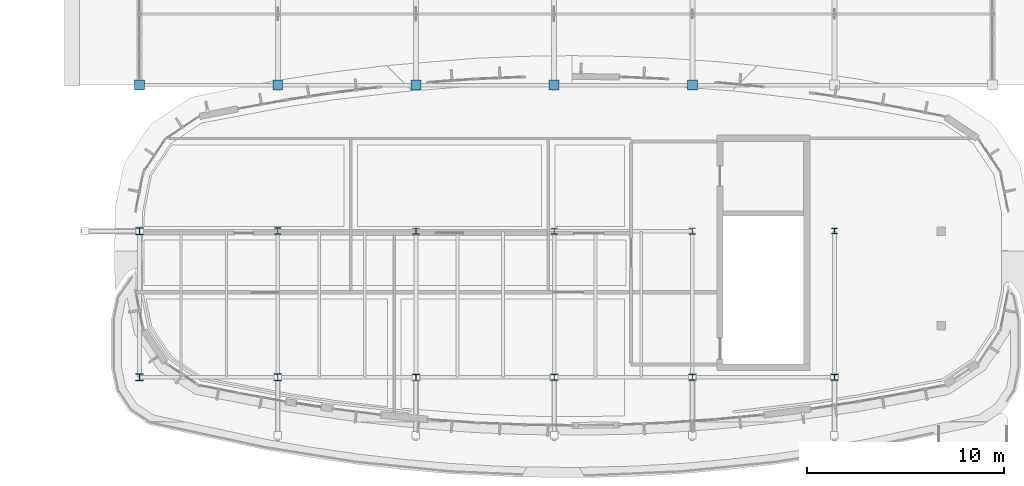
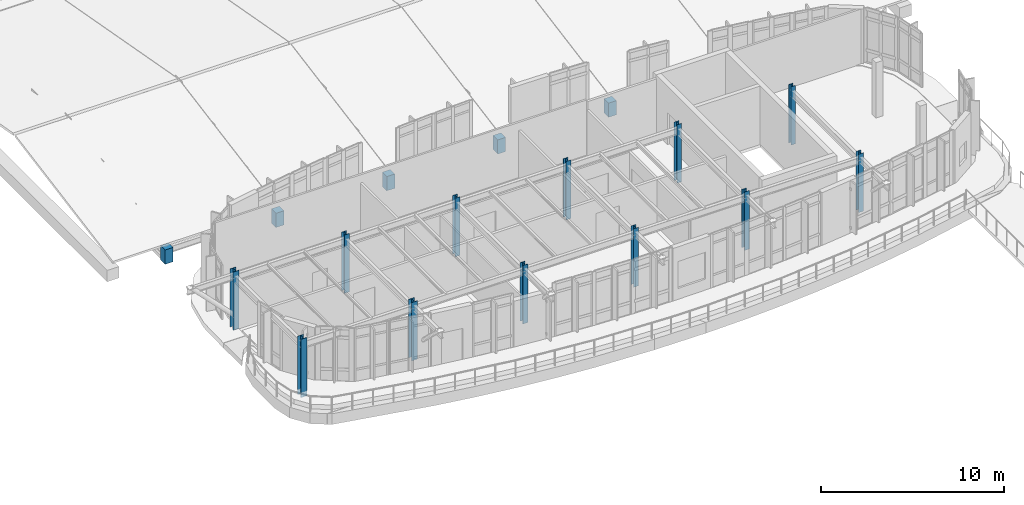
# One storey, part 2 of 105: 17 columns.
"""IFC4 building model written with IfcOpenShell, lengths in metres."""

import ifcopenshell
import ifcopenshell.guid

model = None  # the IFC model being written
_history = None  # IfcOwnerHistory: only IFC2X3 demands one
_inside = {}  # id of a spatial element -> (the spatial element, [elements in it])
_under = {}  # id of a project, library or spatial element -> (it, [spatial elements below it])
_declared = {}  # id of a project -> (the project, [libraries it declares])
_typed = {}  # id of a type object -> (the type object, [elements of that type])
_made_of = {}  # id of a material, layer set ... -> (it, [elements and type objects made of it])


def new_model(schema):
    """Start an empty IFC model of exactly this schema.

    Asked for "IFC4X3", IfcOpenShell would pick the latest addendum, in which some entities
    have other attributes; the version numbers below select the first issue.
    IFC2X3 requires an IfcOwnerHistory on every rooted entity: one is made here for all.
    """
    global model, _history
    if schema == "IFC4X3":
        model = ifcopenshell.file(schema_version=(4, 3, 0, 0))
    else:
        model = ifcopenshell.file(schema=schema)
    _inside.clear()
    _under.clear()
    _declared.clear()
    _typed.clear()
    _made_of.clear()
    _history = None
    if model.schema == "IFC2X3":
        org = make("IfcOrganization", Name="unknown")
        user = make(
            "IfcPersonAndOrganization",
            ThePerson=make("IfcPerson", FamilyName="unknown"),
            TheOrganization=org,
        )
        app = make(
            "IfcApplication",
            ApplicationDeveloper=org,
            Version="unknown",
            ApplicationFullName="unknown",
            ApplicationIdentifier="unknown",
        )
        _history = make(
            "IfcOwnerHistory",
            OwningUser=user,
            OwningApplication=app,
            ChangeAction="ADDED",
            CreationDate=0,
        )
    return model


def make(cls, **values):
    """One entity of the class cls with the attributes given. An attribute that is None is left unset."""
    return model.create_entity(
        cls, **{name: value for name, value in values.items() if value is not None}
    )


def rooted(cls, **values):
    """An entity with a GlobalId (a new one), such as an element, a storey or a relation."""
    return make(cls, GlobalId=ifcopenshell.guid.new(), OwnerHistory=_history, **values)


def si_unit(unit_type, name, prefix=None):
    """IfcSIUnit, for example si_unit("LENGTHUNIT", "METRE", prefix="MILLI")."""
    return make("IfcSIUnit", UnitType=unit_type, Prefix=prefix, Name=name)


def assignment(units):
    """IfcUnitAssignment: the units of a project."""
    return None if units is None else make("IfcUnitAssignment", Units=units)


def point(xyz):
    """IfcCartesianPoint."""
    return None if xyz is None else make("IfcCartesianPoint", Coordinates=xyz)


def direction(xyz):
    """IfcDirection."""
    return None if xyz is None else make("IfcDirection", DirectionRatios=xyz)


def frame(location, z_axis=None, x_axis=None):
    """IfcAxis2Placement3D, a coordinate frame: its origin and axes. An axis left out is left unset."""
    return make(
        "IfcAxis2Placement3D",
        Location=point(location),
        Axis=direction(z_axis),
        RefDirection=direction(x_axis),
    )


def frame_2d(location, x_axis=None):
    """IfcAxis2Placement2D, a coordinate frame in the plane: its origin and x axis."""
    return make(
        "IfcAxis2Placement2D", Location=point(location), RefDirection=direction(x_axis)
    )


def origin():
    """The frame at (0, 0, 0) with its axes left unset."""
    return frame((0.0, 0.0, 0.0))


def origin_2d():
    """The frame at (0, 0) in the plane with its x axis left unset."""
    return frame_2d((0.0, 0.0))


def place(relative_to, where):
    """IfcLocalPlacement: puts the frame where relative to a parent placement (None: the world)."""
    return make(
        "IfcLocalPlacement", PlacementRelTo=relative_to, RelativePlacement=where
    )


def context(
    kind, dimensions, precision=None, world=None, true_north=None, identifier=None
):
    """IfcGeometricRepresentationContext, for example the 3D "Model" context."""
    return make(
        "IfcGeometricRepresentationContext",
        ContextIdentifier=identifier,
        ContextType=kind,
        CoordinateSpaceDimension=dimensions,
        Precision=precision,
        WorldCoordinateSystem=world,
        TrueNorth=true_north,
    )


def subcontext(parent, identifier, kind, view, scale=None):
    """IfcGeometricRepresentationSubContext, for example "Body" below "Model"."""
    return make(
        "IfcGeometricRepresentationSubContext",
        ContextIdentifier=identifier,
        ContextType=kind,
        ParentContext=parent,
        TargetScale=scale,
        TargetView=view,
    )


def project(units=None, contexts=None):
    """IfcProject with its units and contexts."""
    return rooted(
        "IfcProject",
        Name="project",
        RepresentationContexts=contexts,
        UnitsInContext=assignment(units),
    )


def spatial(cls, under=None, at=None, **own):
    """A site, building, storey or space (cls), placed at a placement, below another one or the project."""
    s = rooted(cls, ObjectPlacement=at, **own)
    if under is not None:
        _under.setdefault(under.id(), (under, []))[1].append(s)
    return s


def profile(cls, at=None, kind="AREA", **sizes):
    """A parametric profile (cls). Its sizes go by their IFC names, for example OverallWidth=200.0."""
    return make(cls, ProfileType=kind, Position=at, **sizes)


def rectangle(**sizes):
    """IfcRectangleProfileDef."""
    return profile("IfcRectangleProfileDef", **sizes)


def i_section(**sizes):
    """IfcIShapeProfileDef."""
    return profile("IfcIShapeProfileDef", **sizes)


def extrude(swept, where, along, depth):
    """IfcExtrudedAreaSolid: the profile swept, set in the frame where, extruded along a direction by depth."""
    return make(
        "IfcExtrudedAreaSolid",
        SweptArea=swept,
        Position=where,
        ExtrudedDirection=direction(along),
        Depth=depth,
    )


def shape(context_of_items, identifier, shape_type, items):
    """IfcShapeRepresentation: the items that make up one representation, for example the "Body"."""
    return make(
        "IfcShapeRepresentation",
        ContextOfItems=context_of_items,
        RepresentationIdentifier=identifier,
        RepresentationType=shape_type,
        Items=items,
    )


def material(Name=None, Category=None):
    """IfcMaterial."""
    return make("IfcMaterial", Name=Name, Category=Category)


def material_profile(
    of_material, cross_section, Name=None, Category=None, Priority=None
):
    """IfcMaterialProfile: a cross section and its material."""
    return make(
        "IfcMaterialProfile",
        Name=Name,
        Material=of_material,
        Profile=cross_section,
        Priority=Priority,
        Category=Category,
    )


def profile_set(profiles, Name=None, composite=None):
    """IfcMaterialProfileSet."""
    return make(
        "IfcMaterialProfileSet",
        Name=Name,
        MaterialProfiles=profiles,
        CompositeProfile=composite,
    )


def made_of(thing, what):
    """Note that an element or type object is made of a material, layer set ...; save() writes the relation."""
    if what is not None:
        _made_of.setdefault(what.id(), (what, []))[1].append(thing)
    return thing


def type_object(cls, material=None, **own):
    """A type object (cls), such as IfcWallType, which elements share."""
    return made_of(rooted(cls, **own), material)


def element(
    cls,
    number,
    at=None,
    inside=None,
    cuts=None,
    type_object=None,
    material=None,
    context=None,
    identifier="Body",
    shape_type=None,
    held_by="IfcProductDefinitionShape",
    body=None,
    shapes=None,
    **own,
):
    """One element of the class cls, such as IfcWall. Its Tag is "e" and its number.

    at: its placement. inside: the storey or other place that contains it. cuts: it is an
    opening in that element (IfcRelVoidsElement). A single representation is given by context,
    identifier, shape_type and body (its items); several are given by shapes. held_by: the class
    of the entity that holds the representations. save() writes the other relations.
    """
    e = rooted(cls, Tag="e%d" % number, ObjectPlacement=at, **own)
    if body is not None:
        shapes = [shape(context, identifier, shape_type, body)]
    if shapes is not None:
        e.Representation = make(held_by, Representations=shapes)
    if inside is not None:
        _inside.setdefault(inside.id(), (inside, []))[1].append(e)
    if cuts is not None:
        rooted(
            "IfcRelVoidsElement", RelatingBuildingElement=cuts, RelatedOpeningElement=e
        )
    if type_object is not None:
        _typed.setdefault(type_object.id(), (type_object, []))[1].append(e)
    return made_of(e, material)


def aggregate(whole, parts):
    """IfcRelAggregates: a whole, such as a stair, and the parts it consists of."""
    return rooted("IfcRelAggregates", RelatingObject=whole, RelatedObjects=parts)


def save(model, path):
    """Write the relations noted so far, then the file.

    IfcRelAggregates (storeys below a building ...), IfcRelContainedInSpatialStructure (elements
    in a storey), IfcRelDefinesByType, IfcRelAssociatesMaterial and IfcRelDeclares: one each for
    every whole, place, type object, material and project.
    """
    for whole, parts in _under.values():
        aggregate(whole, parts)
    for where, things in _inside.values():
        rooted(
            "IfcRelContainedInSpatialStructure",
            RelatedElements=things,
            RelatingStructure=where,
        )
    for kind, things in _typed.values():
        rooted("IfcRelDefinesByType", RelatedObjects=things, RelatingType=kind)
    for what, things in _made_of.values():
        rooted("IfcRelAssociatesMaterial", RelatedObjects=things, RelatingMaterial=what)
    for by, libraries in _declared.values():
        rooted("IfcRelDeclares", RelatingContext=by, RelatedDefinitions=libraries)
    model.write(path)


model = new_model("IFC4")

# Units and contexts
model_context = context("Model", 3, precision=1e-05, world=origin(), true_north=direction((0.0, 1.0)))
body_context = subcontext(model_context, "Body", "Model", "MODEL_VIEW")
ifc_project = project(units=[si_unit("LENGTHUNIT", "METRE"), si_unit("AREAUNIT", "SQUARE_METRE"), si_unit("VOLUMEUNIT", "CUBIC_METRE"), si_unit("PLANEANGLEUNIT", "RADIAN"), si_unit("MASSUNIT", "GRAM", prefix="KILO")], contexts=[model_context])

# Site, building, storey
site_placement = place(None, origin())
site = spatial("IfcSite", under=ifc_project, at=site_placement, CompositionType="ELEMENT")
building_placement = place(site_placement, origin())
building = spatial("IfcBuilding", under=site, at=building_placement, Name="Corveleigh Park Community Centre", CompositionType="ELEMENT")
storey_placement = place(building_placement, frame((0.0, 0.0, 8.699951171875)))
storey = spatial("IfcBuildingStorey", under=building, at=storey_placement, Name="L02", CompositionType="ELEMENT", Elevation=8.699951171875)

# Columns
ifc_material_1 = material(Name="Concrete C40/50", Category="concrete")
ifc_material_profile_1 = material_profile(ifc_material_1, rectangle(XDim=0.5, YDim=0.5, at=origin_2d()), Name="RC-500x500", Category="concrete")
ifc_profile_set_1 = profile_set([ifc_material_profile_1], Name="Concrete C40/50")
column_type_1 = type_object("IfcColumnType", Name="COL-RC-500x500", PredefinedType="COLUMN", material=ifc_profile_set_1)
for number, where, z_axis, x_axis, name in (
    (1, (11.199951171875, 92.800048828125, 0.0), (0.0, 0.0, 1.0), (1.0, 0.0, 0.0), "Column V2-HS1 L02"),
    (2, (18.199951171875, 92.800048828125, 0.0), (0.0, 0.0, 1.0), (1.0, 0.0, 0.0), "Column V2-HS2 L02"),
    (3, (25.199951171875, 92.800048828125, 0.0), (0.0, 0.0, 1.0), (1.0, 0.0, 0.0), "Column V2-HS3 L02"),
    (4, (32.199951171875, 92.800048828125, 0.0), (0.0, 0.0, 1.0), (1.0, 0.0, 0.0), "Column V2-HS4 L02"),
    (5, (39.199951171875, 92.800048828125, 0.0), (0.0, 0.0, 1.0), (1.0, 0.0, 0.0), "Column V2-HS5 L02"),
):
    element("IfcColumn", number, at=place(storey_placement, frame(where, z_axis=z_axis, x_axis=x_axis)), inside=storey, type_object=column_type_1, Name=name, PredefinedType="COLUMN", context=body_context, shape_type="SweptSolid", body=[
        extrude(rectangle(XDim=0.5, YDim=0.5, at=origin_2d()), origin(), (0.0, 0.0, 1.0), 0.949951171875),
    ])
ifc_material_2 = material(Name="Steel S355", Category="steel")
ifc_material_profile_2 = material_profile(ifc_material_2, i_section(OverallWidth=0.26123046875, OverallDepth=0.2763671875, WebThickness=0.015380859375, FlangeThickness=0.025390625, at=origin_2d()), Name="UKC 254x254x132", Category="steel")
ifc_profile_set_2 = profile_set([ifc_material_profile_2], Name="Steel S355")
column_type_2 = type_object("IfcColumnType", Name="COL-STL-UKC254x132", PredefinedType="COLUMN", material=ifc_profile_set_2)
column_1_placement = place(storey_placement, frame((46.39990234375, 85.39990234375, 0.0), z_axis=(0.0, 0.0, 1.0), x_axis=(1.0, 0.0, 0.0)))
element("IfcColumn", 6, at=column_1_placement, inside=storey, type_object=column_type_2, Name="Column V2-ST-X5Y1 L02", PredefinedType="COLUMN", context=body_context, shape_type="SweptSolid", body=[
    extrude(i_section(OverallWidth=0.26123046875, OverallDepth=0.2763671875, WebThickness=0.015380859375, FlangeThickness=0.025390625, at=origin_2d()), origin(), (0.0, 0.0, 1.0), 3.900146484375),
])
ifc_material_profile_3 = material_profile(ifc_material_2, i_section(OverallWidth=0.307373046875, OverallDepth=0.314453125, WebThickness=0.011962890625, FlangeThickness=0.018798828125, at=origin_2d()), Name="UKC 305x305x118", Category="steel")
ifc_profile_set_3 = profile_set([ifc_material_profile_3], Name="Steel S355")
column_type_3 = type_object("IfcColumnType", Name="COL-STL-UKC305x118", PredefinedType="COLUMN", material=ifc_profile_set_3)
for number, where, z_axis, x_axis, name in (
    (7, (32.199951171875, 85.39990234375, 0.0), (0.0, 0.0, 1.0), (1.0, 0.0, 0.0), "Column V2-ST-X3Y1 L02"),
    (8, (39.199951171875, 78.0, 0.0), (0.0, 0.0, 1.0), (1.0, 0.0, 0.0), "Column V2-ST-X4Y0 L02"),
):
    element("IfcColumn", number, at=place(storey_placement, frame(where, z_axis=z_axis, x_axis=x_axis)), inside=storey, type_object=column_type_3, Name=name, PredefinedType="COLUMN", context=body_context, shape_type="SweptSolid", body=[
        extrude(i_section(OverallWidth=0.307373046875, OverallDepth=0.314453125, WebThickness=0.011962890625, FlangeThickness=0.018798828125, at=origin_2d()), origin(), (0.0, 0.0, 1.0), 3.900146484375),
    ])
ifc_material_profile_4 = material_profile(ifc_material_2, i_section(OverallWidth=0.30908203125, OverallDepth=0.320556640625, WebThickness=0.013916015625, FlangeThickness=0.021728515625, at=origin_2d()), Name="UKC 305x305x137", Category="steel")
ifc_profile_set_4 = profile_set([ifc_material_profile_4], Name="Steel S355")
column_type_4 = type_object("IfcColumnType", Name="COL-STL-UKC305x137", PredefinedType="COLUMN", material=ifc_profile_set_4)
for number, where, z_axis, x_axis, name in (
    (9, (25.199951171875, 85.39990234375, 0.0), (0.0, 0.0, 1.0), (1.0, 0.0, 0.0), "Column V2-ST-X2Y1 L02"),
    (10, (32.199951171875, 78.0, 0.0), (0.0, 0.0, 1.0), (1.0, 0.0, 0.0), "Column V2-ST-X3Y0 L02"),
):
    element("IfcColumn", number, at=place(storey_placement, frame(where, z_axis=z_axis, x_axis=x_axis)), inside=storey, type_object=column_type_4, Name=name, PredefinedType="COLUMN", context=body_context, shape_type="SweptSolid", body=[
        extrude(i_section(OverallWidth=0.30908203125, OverallDepth=0.320556640625, WebThickness=0.013916015625, FlangeThickness=0.021728515625, at=origin_2d()), origin(), (0.0, 0.0, 1.0), 3.900146484375),
    ])
ifc_material_profile_5 = material_profile(ifc_material_2, i_section(OverallWidth=0.311279296875, OverallDepth=0.3271484375, WebThickness=0.015869140625, FlangeThickness=0.02490234375, at=origin_2d()), Name="UKC 305x305x158", Category="steel")
ifc_profile_set_5 = profile_set([ifc_material_profile_5], Name="Steel S355")
column_type_5 = type_object("IfcColumnType", Name="COL-STL-UKC305x158", PredefinedType="COLUMN", material=ifc_profile_set_5)
for number, where, z_axis, x_axis, name in (
    (11, (18.199951171875, 85.39990234375, 0.0), (0.0, 0.0, 1.0), (1.0, 0.0, 0.0), "Column V2-ST-X1Y1 L02"),
    (12, (25.199951171875, 78.0, 0.0), (0.0, 0.0, 1.0), (1.0, 0.0, 0.0), "Column V2-ST-X2Y0 L02"),
):
    element("IfcColumn", number, at=place(storey_placement, frame(where, z_axis=z_axis, x_axis=x_axis)), inside=storey, type_object=column_type_5, Name=name, PredefinedType="COLUMN", context=body_context, shape_type="SweptSolid", body=[
        extrude(i_section(OverallWidth=0.311279296875, OverallDepth=0.3271484375, WebThickness=0.015869140625, FlangeThickness=0.02490234375, at=origin_2d()), origin(), (0.0, 0.0, 1.0), 3.900146484375),
    ])
ifc_material_profile_6 = material_profile(ifc_material_2, i_section(OverallWidth=0.305419921875, OverallDepth=0.307861328125, WebThickness=0.010009765625, FlangeThickness=0.015380859375, at=origin_2d()), Name="UKC 305x305x97", Category="steel")
ifc_profile_set_6 = profile_set([ifc_material_profile_6], Name="Steel S355")
column_type_6 = type_object("IfcColumnType", Name="COL-STL-UKC305x97", PredefinedType="COLUMN", material=ifc_profile_set_6)
for number, where, z_axis, x_axis, name in (
    (13, (39.199951171875, 85.39990234375, 0.0), (0.0, 0.0, 1.0), (1.0, 0.0, 0.0), "Column V2-ST-X4Y1 L02"),
    (14, (46.39990234375, 78.0, 0.0), (0.0, 0.0, 1.0), (1.0, 0.0, 0.0), "Column V2-ST-X5Y0 L02"),
):
    element("IfcColumn", number, at=place(storey_placement, frame(where, z_axis=z_axis, x_axis=x_axis)), inside=storey, type_object=column_type_6, Name=name, PredefinedType="COLUMN", context=body_context, shape_type="SweptSolid", body=[
        extrude(i_section(OverallWidth=0.305419921875, OverallDepth=0.307861328125, WebThickness=0.010009765625, FlangeThickness=0.015380859375, at=origin_2d()), origin(), (0.0, 0.0, 1.0), 3.900146484375),
    ])
ifc_material_profile_7 = material_profile(ifc_material_2, i_section(OverallWidth=0.37060546875, OverallDepth=0.362060546875, WebThickness=0.01220703125, FlangeThickness=0.020751953125, at=origin_2d()), Name="UKC 356x368x153", Category="steel")
ifc_profile_set_7 = profile_set([ifc_material_profile_7], Name="Steel S355")
column_type_7 = type_object("IfcColumnType", Name="COL-STL-UKC356x153", PredefinedType="COLUMN", material=ifc_profile_set_7)
for number, where, z_axis, x_axis, name in (
    (15, (11.199951171875, 85.39990234375, 0.0), (0.0, 0.0, 1.0), (1.0, 0.0, 0.0), "Column V2-ST-X0Y1 L02"),
    (16, (18.199951171875, 78.0, 0.0), (0.0, 0.0, 1.0), (1.0, 0.0, 0.0), "Column V2-ST-X1Y0 L02"),
):
    element("IfcColumn", number, at=place(storey_placement, frame(where, z_axis=z_axis, x_axis=x_axis)), inside=storey, type_object=column_type_7, Name=name, PredefinedType="COLUMN", context=body_context, shape_type="SweptSolid", body=[
        extrude(i_section(OverallWidth=0.37060546875, OverallDepth=0.362060546875, WebThickness=0.01220703125, FlangeThickness=0.020751953125, at=origin_2d()), origin(), (0.0, 0.0, 1.0), 3.900146484375),
    ])
ifc_material_profile_8 = material_profile(ifc_material_2, i_section(OverallWidth=0.37255859375, OverallDepth=0.3681640625, WebThickness=0.014404296875, FlangeThickness=0.023681640625, at=origin_2d()), Name="UKC 356x368x177", Category="steel")
ifc_profile_set_8 = profile_set([ifc_material_profile_8], Name="Steel S355")
column_type_8 = type_object("IfcColumnType", Name="COL-STL-UKC356x177", PredefinedType="COLUMN", material=ifc_profile_set_8)
column_2_placement = place(storey_placement, frame((11.199951171875, 78.0, 0.0), z_axis=(0.0, 0.0, 1.0), x_axis=(1.0, 0.0, 0.0)))
element("IfcColumn", 17, at=column_2_placement, inside=storey, type_object=column_type_8, Name="Column V2-ST-X0Y0 L02", PredefinedType="COLUMN", context=body_context, shape_type="SweptSolid", body=[
    extrude(i_section(OverallWidth=0.37255859375, OverallDepth=0.3681640625, WebThickness=0.014404296875, FlangeThickness=0.023681640625, at=origin_2d()), origin(), (0.0, 0.0, 1.0), 3.900146484375),
])

save(model, "model.ifc")
